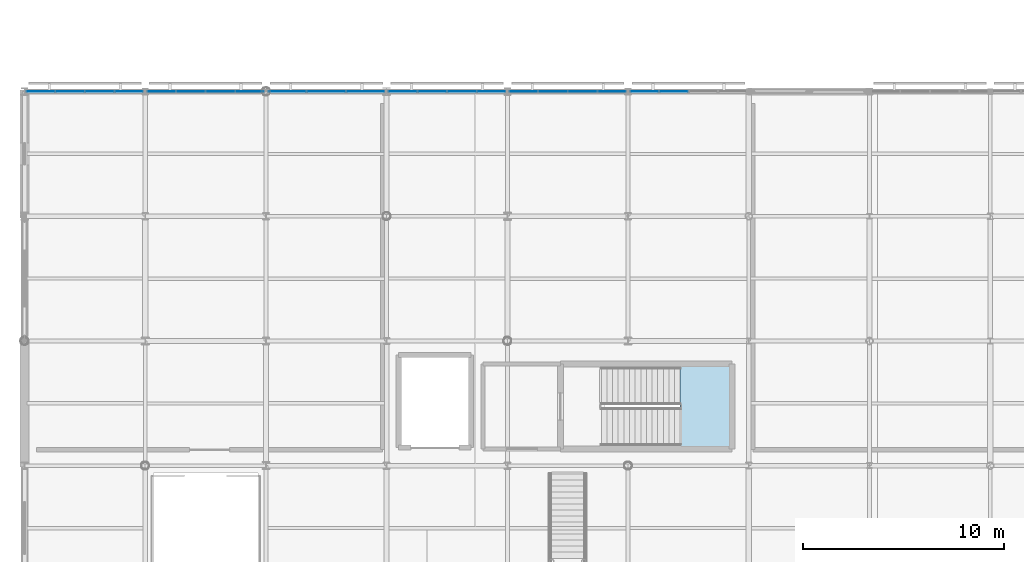
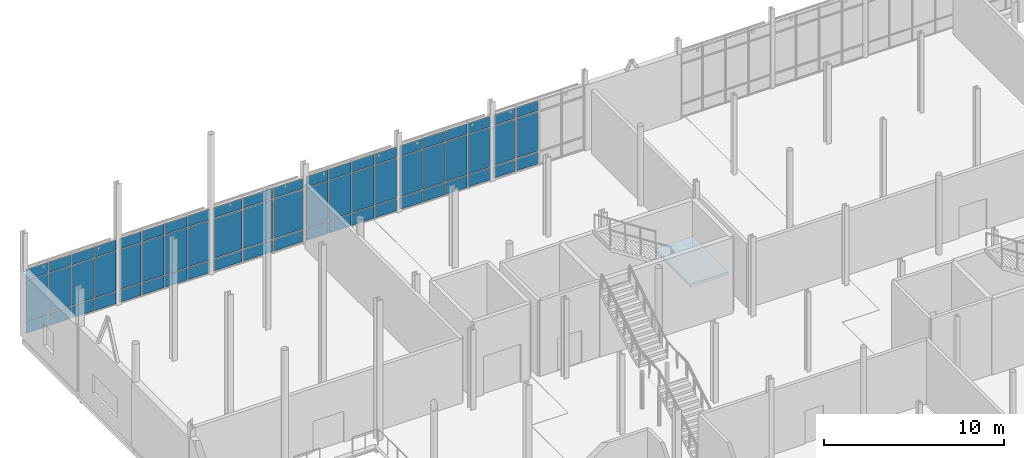
# One storey, part 59 of 105: 63 plates, 1 slab, 7 elements without a shape of their own.
"""IFC4 building model written with IfcOpenShell, lengths in metres."""

from ifc_helpers import new_model, si_unit, direction, frame, origin, origin_2d, place, context, subcontext, project, spatial, polyline, rectangle, outline, extrude, material, layer, layer_set, type_object, element, aggregate, save


model = new_model("IFC4")

# Units and contexts
model_context = context("Model", 3, precision=1e-05, world=origin(), true_north=direction((0.0, 1.0)))
body_context = subcontext(model_context, "Body", "Model", "MODEL_VIEW")
ifc_project = project(units=[si_unit("LENGTHUNIT", "METRE"), si_unit("AREAUNIT", "SQUARE_METRE"), si_unit("VOLUMEUNIT", "CUBIC_METRE"), si_unit("PLANEANGLEUNIT", "RADIAN"), si_unit("MASSUNIT", "GRAM", prefix="KILO")], contexts=[model_context])

# Site, building, storey
site_placement = place(None, origin())
site = spatial("IfcSite", under=ifc_project, at=site_placement, CompositionType="ELEMENT")
building_placement = place(site_placement, origin())
building = spatial("IfcBuilding", under=site, at=building_placement, Name="Mirzam Square Science Centre", CompositionType="ELEMENT")
storey_placement = place(building_placement, frame((0.0, 0.0, 5.39990234375)))
storey = spatial("IfcBuildingStorey", under=building, at=storey_placement, Name="L01", CompositionType="ELEMENT", Elevation=5.39990234375)

# Curtain wall, plates
ifc_material_1 = material(Name="Anodised Aluminium and Low-E Solar Glass", Category="aluminium")
ifc_layer_1 = layer(ifc_material_1, 0.159912109375)
ifc_layer_set_1 = layer_set([ifc_layer_1], Name="CW-COURT-B")
curtain_wall_type_1 = type_object("IfcCurtainWallType", Name="CW-COURT-B", PredefinedType="USERDEFINED", material=ifc_layer_set_1)
curtain_wall_1_placement = place(storey_placement, origin())
curtain_wall_1 = element("IfcCurtainWall", 1, at=curtain_wall_1_placement, inside=storey, type_object=curtain_wall_type_1, Name="L01 unitised curtain wall 9", ObjectType="UNITISED CURTAIN WALL", PredefinedType="USERDEFINED")
ifc_material_2 = material(Name="Ceramic-Fritted Courtyard Solar Glass", Category="glass")
ifc_layer_2 = layer(ifc_material_2, 0.02392578125)
ifc_layer_set_2 = layer_set([ifc_layer_2], Name="CWP-GLZ-24")
plate_type_1 = type_object("IfcPlateType", Name="CWP-GLZ-24", PredefinedType="CURTAIN_PANEL", material=ifc_layer_set_2)
plate_1_placement = place(storey_placement, frame((5.19384765625, 80.60009765625, 0.06005859375), z_axis=(0.0, 0.0, 1.0), x_axis=(-1.0, 0.0, 0.0)))
plate_1 = element("IfcPlate", 2, at=plate_1_placement, type_object=plate_type_1, Name="CW-04 panel 1.1", PredefinedType="CURTAIN_PANEL", context=body_context, shape_type="SweptSolid", body=[
    extrude(rectangle(XDim=1.382568359375, YDim=0.02392578125, at=origin_2d()), origin(), (0.0, 0.0, 1.0), 0.81005859375),
])
plate_2_placement = place(storey_placement, frame((5.19384765625, 80.60009765625, 0.93017578125), z_axis=(0.0, 0.0, 1.0), x_axis=(-1.0, 0.0, 0.0)))
plate_2 = element("IfcPlate", 3, at=plate_2_placement, type_object=plate_type_1, Name="CW-04 panel 1.2", PredefinedType="CURTAIN_PANEL", context=body_context, shape_type="SweptSolid", body=[
    extrude(rectangle(XDim=1.382568359375, YDim=0.02392578125, at=origin_2d()), origin(), (0.0, 0.0, 1.0), 2.679931640625),
])
plate_3_placement = place(storey_placement, frame((5.19384765625, 80.60009765625, 3.670166015625), z_axis=(0.0, 0.0, 1.0), x_axis=(-1.0, 0.0, 0.0)))
plate_3 = element("IfcPlate", 4, at=plate_3_placement, type_object=plate_type_1, Name="CW-04 panel 1.3", PredefinedType="CURTAIN_PANEL", context=body_context, shape_type="SweptSolid", body=[
    extrude(rectangle(XDim=1.382568359375, YDim=0.02392578125, at=origin_2d()), origin(), (0.0, 0.0, 1.0), 0.7099609375),
])
plate_4_placement = place(storey_placement, frame((3.736328125, 80.60009765625, 0.06005859375), z_axis=(0.0, 0.0, 1.0), x_axis=(-1.0, 0.0, 0.0)))
plate_4 = element("IfcPlate", 5, at=plate_4_placement, type_object=plate_type_1, Name="CW-04 panel 2.1", PredefinedType="CURTAIN_PANEL", context=body_context, shape_type="SweptSolid", body=[
    extrude(rectangle(XDim=1.41259765625, YDim=0.02392578125, at=origin_2d()), origin(), (0.0, 0.0, 1.0), 0.81005859375),
])
plate_5_placement = place(storey_placement, frame((3.736328125, 80.60009765625, 0.93017578125), z_axis=(0.0, 0.0, 1.0), x_axis=(-1.0, 0.0, 0.0)))
plate_5 = element("IfcPlate", 6, at=plate_5_placement, type_object=plate_type_1, Name="CW-04 panel 2.2", PredefinedType="CURTAIN_PANEL", context=body_context, shape_type="SweptSolid", body=[
    extrude(rectangle(XDim=1.41259765625, YDim=0.02392578125, at=origin_2d()), origin(), (0.0, 0.0, 1.0), 2.679931640625),
])
plate_6_placement = place(storey_placement, frame((3.736328125, 80.60009765625, 3.670166015625), z_axis=(0.0, 0.0, 1.0), x_axis=(-1.0, 0.0, 0.0)))
plate_6 = element("IfcPlate", 7, at=plate_6_placement, type_object=plate_type_1, Name="CW-04 panel 2.3", PredefinedType="CURTAIN_PANEL", context=body_context, shape_type="SweptSolid", body=[
    extrude(rectangle(XDim=1.41259765625, YDim=0.02392578125, at=origin_2d()), origin(), (0.0, 0.0, 1.0), 0.7099609375),
])
plate_7_placement = place(storey_placement, frame((2.263671875, 80.60009765625, 0.06005859375), z_axis=(0.0, 0.0, 1.0), x_axis=(-1.0, 0.0, 0.0)))
plate_7 = element("IfcPlate", 8, at=plate_7_placement, type_object=plate_type_1, Name="CW-04 panel 3.1", PredefinedType="CURTAIN_PANEL", context=body_context, shape_type="SweptSolid", body=[
    extrude(rectangle(XDim=1.41259765625, YDim=0.02392578125, at=origin_2d()), origin(), (0.0, 0.0, 1.0), 0.81005859375),
])
plate_8_placement = place(storey_placement, frame((2.263671875, 80.60009765625, 0.93017578125), z_axis=(0.0, 0.0, 1.0), x_axis=(-1.0, 0.0, 0.0)))
plate_8 = element("IfcPlate", 9, at=plate_8_placement, type_object=plate_type_1, Name="CW-04 panel 3.2", PredefinedType="CURTAIN_PANEL", context=body_context, shape_type="SweptSolid", body=[
    extrude(rectangle(XDim=1.41259765625, YDim=0.02392578125, at=origin_2d()), origin(), (0.0, 0.0, 1.0), 2.679931640625),
])
plate_9_placement = place(storey_placement, frame((2.263671875, 80.60009765625, 3.670166015625), z_axis=(0.0, 0.0, 1.0), x_axis=(-1.0, 0.0, 0.0)))
plate_9 = element("IfcPlate", 10, at=plate_9_placement, type_object=plate_type_1, Name="CW-04 panel 3.3", PredefinedType="CURTAIN_PANEL", context=body_context, shape_type="SweptSolid", body=[
    extrude(rectangle(XDim=1.41259765625, YDim=0.02392578125, at=origin_2d()), origin(), (0.0, 0.0, 1.0), 0.7099609375),
])
plate_10_placement = place(storey_placement, frame((0.80615234375, 80.60009765625, 0.06005859375), z_axis=(0.0, 0.0, 1.0), x_axis=(-1.0, 0.0, 0.0)))
plate_10 = element("IfcPlate", 11, at=plate_10_placement, type_object=plate_type_1, Name="CW-04 panel 4.1", PredefinedType="CURTAIN_PANEL", context=body_context, shape_type="SweptSolid", body=[
    extrude(rectangle(XDim=1.382568359375, YDim=0.02392578125, at=origin_2d()), origin(), (0.0, 0.0, 1.0), 0.81005859375),
])
plate_11_placement = place(storey_placement, frame((0.80615234375, 80.60009765625, 0.93017578125), z_axis=(0.0, 0.0, 1.0), x_axis=(-1.0, 0.0, 0.0)))
plate_11 = element("IfcPlate", 12, at=plate_11_placement, type_object=plate_type_1, Name="CW-04 panel 4.2", PredefinedType="CURTAIN_PANEL", context=body_context, shape_type="SweptSolid", body=[
    extrude(rectangle(XDim=1.382568359375, YDim=0.02392578125, at=origin_2d()), origin(), (0.0, 0.0, 1.0), 2.679931640625),
])
plate_12_placement = place(storey_placement, frame((0.80615234375, 80.60009765625, 3.670166015625), z_axis=(0.0, 0.0, 1.0), x_axis=(-1.0, 0.0, 0.0)))
plate_12 = element("IfcPlate", 13, at=plate_12_placement, type_object=plate_type_1, Name="CW-04 panel 4.3", PredefinedType="CURTAIN_PANEL", context=body_context, shape_type="SweptSolid", body=[
    extrude(rectangle(XDim=1.382568359375, YDim=0.02392578125, at=origin_2d()), origin(), (0.0, 0.0, 1.0), 0.7099609375),
])
aggregate(curtain_wall_1, [plate_1, plate_2, plate_3, plate_4, plate_5, plate_6, plate_7, plate_8, plate_9, plate_10, plate_11, plate_12])

ifc_layer_3 = layer(ifc_material_1, 0.179931640625)
ifc_layer_set_3 = layer_set([ifc_layer_3], Name="CW-PARK-A")
curtain_wall_type_2 = type_object("IfcCurtainWallType", Name="CW-PARK-A", PredefinedType="USERDEFINED", material=ifc_layer_set_3)
curtain_wall_2_placement = place(storey_placement, origin())
curtain_wall_2 = element("IfcCurtainWall", 14, at=curtain_wall_2_placement, inside=storey, type_object=curtain_wall_type_2, Name="L01 unitised curtain wall 14", ObjectType="UNITISED CURTAIN WALL", PredefinedType="USERDEFINED")
plate_13_placement = place(storey_placement, frame((32.263671875, 80.60009765625, 0.074951171875), z_axis=(0.0, 0.0, 1.0), x_axis=(-1.0, 0.0, 0.0)))
plate_13 = element("IfcPlate", 15, at=plate_13_placement, type_object=plate_type_1, Name="CW-01 panel 3.1", PredefinedType="CURTAIN_PANEL", context=body_context, shape_type="SweptSolid", body=[
    extrude(rectangle(XDim=1.3974609375, YDim=0.02392578125, at=origin_2d()), origin(), (0.0, 0.0, 1.0), 0.78759765625),
])
plate_14_placement = place(storey_placement, frame((32.263671875, 80.60009765625, 0.9375), z_axis=(0.0, 0.0, 1.0), x_axis=(-1.0, 0.0, 0.0)))
plate_14 = element("IfcPlate", 16, at=plate_14_placement, type_object=plate_type_1, Name="CW-01 panel 3.2", PredefinedType="CURTAIN_PANEL", context=body_context, shape_type="SweptSolid", body=[
    extrude(rectangle(XDim=1.3974609375, YDim=0.02392578125, at=origin_2d()), origin(), (0.0, 0.0, 1.0), 2.6650390625),
])
plate_15_placement = place(storey_placement, frame((32.263671875, 80.60009765625, 3.677490234375), z_axis=(0.0, 0.0, 1.0), x_axis=(-1.0, 0.0, 0.0)))
plate_15 = element("IfcPlate", 17, at=plate_15_placement, type_object=plate_type_1, Name="CW-01 panel 3.3", PredefinedType="CURTAIN_PANEL", context=body_context, shape_type="SweptSolid", body=[
    extrude(rectangle(XDim=1.3974609375, YDim=0.02392578125, at=origin_2d()), origin(), (0.0, 0.0, 1.0), 0.6875),
])
plate_16_placement = place(storey_placement, frame((30.81005859375, 80.60009765625, 0.074951171875), z_axis=(0.0, 0.0, 1.0), x_axis=(-1.0, 0.0, 0.0)))
plate_16 = element("IfcPlate", 18, at=plate_16_placement, type_object=plate_type_1, Name="CW-01 panel 4.1", PredefinedType="CURTAIN_PANEL", context=body_context, shape_type="SweptSolid", body=[
    extrude(rectangle(XDim=1.360107421875, YDim=0.02392578125, at=origin_2d()), origin(), (0.0, 0.0, 1.0), 0.78759765625),
])
plate_17_placement = place(storey_placement, frame((30.81005859375, 80.60009765625, 0.9375), z_axis=(0.0, 0.0, 1.0), x_axis=(-1.0, 0.0, 0.0)))
plate_17 = element("IfcPlate", 19, at=plate_17_placement, type_object=plate_type_1, Name="CW-01 panel 4.2", PredefinedType="CURTAIN_PANEL", context=body_context, shape_type="SweptSolid", body=[
    extrude(rectangle(XDim=1.360107421875, YDim=0.02392578125, at=origin_2d()), origin(), (0.0, 0.0, 1.0), 2.6650390625),
])
plate_18_placement = place(storey_placement, frame((30.81005859375, 80.60009765625, 3.677490234375), z_axis=(0.0, 0.0, 1.0), x_axis=(-1.0, 0.0, 0.0)))
plate_18 = element("IfcPlate", 20, at=plate_18_placement, type_object=plate_type_1, Name="CW-01 panel 4.3", PredefinedType="CURTAIN_PANEL", context=body_context, shape_type="SweptSolid", body=[
    extrude(rectangle(XDim=1.360107421875, YDim=0.02392578125, at=origin_2d()), origin(), (0.0, 0.0, 1.0), 0.6875),
])
aggregate(curtain_wall_2, [plate_13, plate_14, plate_15, plate_16, plate_17, plate_18])

ifc_layer_4 = layer(ifc_material_1, 0.239990234375)
ifc_layer_set_4 = layer_set([ifc_layer_4], Name="CW-EAST-B")
curtain_wall_type_3 = type_object("IfcCurtainWallType", Name="CW-EAST-B", PredefinedType="USERDEFINED", material=ifc_layer_set_4)
curtain_wall_3_placement = place(storey_placement, origin())
curtain_wall_3 = element("IfcCurtainWall", 21, at=curtain_wall_3_placement, inside=storey, type_object=curtain_wall_type_3, Name="L01 unitised curtain wall 11", ObjectType="UNITISED CURTAIN WALL", PredefinedType="USERDEFINED")
ifc_material_3 = material(Name="Double-Silver Low-E Insulated Solar Glass", Category="glass")
ifc_layer_5 = layer(ifc_material_3, 0.028076171875)
ifc_layer_set_5 = layer_set([ifc_layer_5], Name="CWP-GLZ-28")
plate_type_2 = type_object("IfcPlateType", Name="CWP-GLZ-28", PredefinedType="CURTAIN_PANEL", material=ifc_layer_set_5)
plate_19_placement = place(storey_placement, frame((16.944580078125, 80.60009765625, 0.074951171875), z_axis=(0.0, 0.0, 1.0), x_axis=(-1.0, 0.0, 0.0)))
plate_19 = element("IfcPlate", 22, at=plate_19_placement, type_object=plate_type_2, Name="CW-06 panel 1.1", PredefinedType="CURTAIN_PANEL", context=body_context, shape_type="SweptSolid", body=[
    extrude(rectangle(XDim=1.850830078125, YDim=0.028076171875, at=origin_2d()), origin(), (0.0, 0.0, 1.0), 0.78759765625),
])
plate_20_placement = place(storey_placement, frame((16.944580078125, 80.60009765625, 0.9375), z_axis=(0.0, 0.0, 1.0), x_axis=(-1.0, 0.0, 0.0)))
plate_20 = element("IfcPlate", 23, at=plate_20_placement, type_object=plate_type_2, Name="CW-06 panel 1.2", PredefinedType="CURTAIN_PANEL", context=body_context, shape_type="SweptSolid", body=[
    extrude(rectangle(XDim=1.850830078125, YDim=0.028076171875, at=origin_2d()), origin(), (0.0, 0.0, 1.0), 2.6650390625),
])
plate_21_placement = place(storey_placement, frame((16.944580078125, 80.60009765625, 3.677490234375), z_axis=(0.0, 0.0, 1.0), x_axis=(-1.0, 0.0, 0.0)))
plate_21 = element("IfcPlate", 24, at=plate_21_placement, type_object=plate_type_2, Name="CW-06 panel 1.3", PredefinedType="CURTAIN_PANEL", context=body_context, shape_type="SweptSolid", body=[
    extrude(rectangle(XDim=1.850830078125, YDim=0.028076171875, at=origin_2d()), origin(), (0.0, 0.0, 1.0), 0.6875),
])
plate_22_placement = place(storey_placement, frame((15.0, 80.60009765625, 0.074951171875), z_axis=(0.0, 0.0, 1.0), x_axis=(-1.0, 0.0, 0.0)))
plate_22 = element("IfcPlate", 25, at=plate_22_placement, type_object=plate_type_2, Name="CW-06 panel 2.1", PredefinedType="CURTAIN_PANEL", context=body_context, shape_type="SweptSolid", body=[
    extrude(rectangle(XDim=1.888427734375, YDim=0.028076171875, at=origin_2d()), origin(), (0.0, 0.0, 1.0), 0.78759765625),
])
plate_23_placement = place(storey_placement, frame((15.0, 80.60009765625, 0.9375), z_axis=(0.0, 0.0, 1.0), x_axis=(-1.0, 0.0, 0.0)))
plate_23 = element("IfcPlate", 26, at=plate_23_placement, type_object=plate_type_2, Name="CW-06 panel 2.2", PredefinedType="CURTAIN_PANEL", context=body_context, shape_type="SweptSolid", body=[
    extrude(rectangle(XDim=1.888427734375, YDim=0.028076171875, at=origin_2d()), origin(), (0.0, 0.0, 1.0), 2.6650390625),
])
plate_24_placement = place(storey_placement, frame((15.0, 80.60009765625, 3.677490234375), z_axis=(0.0, 0.0, 1.0), x_axis=(-1.0, 0.0, 0.0)))
plate_24 = element("IfcPlate", 27, at=plate_24_placement, type_object=plate_type_2, Name="CW-06 panel 2.3", PredefinedType="CURTAIN_PANEL", context=body_context, shape_type="SweptSolid", body=[
    extrude(rectangle(XDim=1.888427734375, YDim=0.028076171875, at=origin_2d()), origin(), (0.0, 0.0, 1.0), 0.6875),
])
plate_25_placement = place(storey_placement, frame((13.055419921875, 80.60009765625, 0.074951171875), z_axis=(0.0, 0.0, 1.0), x_axis=(-1.0, 0.0, 0.0)))
plate_25 = element("IfcPlate", 28, at=plate_25_placement, type_object=plate_type_2, Name="CW-06 panel 3.1", PredefinedType="CURTAIN_PANEL", context=body_context, shape_type="SweptSolid", body=[
    extrude(rectangle(XDim=1.850830078125, YDim=0.028076171875, at=origin_2d()), origin(), (0.0, 0.0, 1.0), 0.78759765625),
])
plate_26_placement = place(storey_placement, frame((13.055419921875, 80.60009765625, 0.9375), z_axis=(0.0, 0.0, 1.0), x_axis=(-1.0, 0.0, 0.0)))
plate_26 = element("IfcPlate", 29, at=plate_26_placement, type_object=plate_type_2, Name="CW-06 panel 3.2", PredefinedType="CURTAIN_PANEL", context=body_context, shape_type="SweptSolid", body=[
    extrude(rectangle(XDim=1.850830078125, YDim=0.028076171875, at=origin_2d()), origin(), (0.0, 0.0, 1.0), 2.6650390625),
])
plate_27_placement = place(storey_placement, frame((13.055419921875, 80.60009765625, 3.677490234375), z_axis=(0.0, 0.0, 1.0), x_axis=(-1.0, 0.0, 0.0)))
plate_27 = element("IfcPlate", 30, at=plate_27_placement, type_object=plate_type_2, Name="CW-06 panel 3.3", PredefinedType="CURTAIN_PANEL", context=body_context, shape_type="SweptSolid", body=[
    extrude(rectangle(XDim=1.850830078125, YDim=0.028076171875, at=origin_2d()), origin(), (0.0, 0.0, 1.0), 0.6875),
])
aggregate(curtain_wall_3, [plate_19, plate_20, plate_21, plate_22, plate_23, plate_24, plate_25, plate_26, plate_27])

ifc_layer_6 = layer(ifc_material_1, 0.219970703125)
ifc_layer_set_6 = layer_set([ifc_layer_6], Name="CW-OBS-A")
curtain_wall_type_4 = type_object("IfcCurtainWallType", Name="CW-OBS-A", PredefinedType="USERDEFINED", material=ifc_layer_set_6)
curtain_wall_4_placement = place(storey_placement, origin())
curtain_wall_4 = element("IfcCurtainWall", 31, at=curtain_wall_4_placement, inside=storey, type_object=curtain_wall_type_4, Name="L01 unitised curtain wall 12", ObjectType="UNITISED CURTAIN WALL", PredefinedType="USERDEFINED")
ifc_material_4 = material(Name="Triple-Glazed Acoustic Low-E Solar Glass", Category="glass")
ifc_layer_7 = layer(ifc_material_4, 0.031982421875)
ifc_layer_set_7 = layer_set([ifc_layer_7], Name="CWP-GLZ-32")
plate_type_3 = type_object("IfcPlateType", Name="CWP-GLZ-32", PredefinedType="CURTAIN_PANEL", material=ifc_layer_set_7)
plate_28_placement = place(storey_placement, frame((23.19384765625, 80.60009765625, 0.06005859375), z_axis=(0.0, 0.0, 1.0), x_axis=(-1.0, 0.0, 0.0)))
plate_28 = element("IfcPlate", 32, at=plate_28_placement, type_object=plate_type_3, Name="CW-07 panel 1.1", PredefinedType="CURTAIN_PANEL", context=body_context, shape_type="SweptSolid", body=[
    extrude(rectangle(XDim=1.382568359375, YDim=0.031982421875, at=origin_2d()), origin(), (0.0, 0.0, 1.0), 0.81005859375),
])
plate_29_placement = place(storey_placement, frame((23.19384765625, 80.60009765625, 0.93017578125), z_axis=(0.0, 0.0, 1.0), x_axis=(-1.0, 0.0, 0.0)))
plate_29 = element("IfcPlate", 33, at=plate_29_placement, type_object=plate_type_3, Name="CW-07 panel 1.2", PredefinedType="CURTAIN_PANEL", context=body_context, shape_type="SweptSolid", body=[
    extrude(rectangle(XDim=1.382568359375, YDim=0.031982421875, at=origin_2d()), origin(), (0.0, 0.0, 1.0), 2.679931640625),
])
plate_30_placement = place(storey_placement, frame((23.19384765625, 80.60009765625, 3.670166015625), z_axis=(0.0, 0.0, 1.0), x_axis=(-1.0, 0.0, 0.0)))
plate_30 = element("IfcPlate", 34, at=plate_30_placement, type_object=plate_type_3, Name="CW-07 panel 1.3", PredefinedType="CURTAIN_PANEL", context=body_context, shape_type="SweptSolid", body=[
    extrude(rectangle(XDim=1.382568359375, YDim=0.031982421875, at=origin_2d()), origin(), (0.0, 0.0, 1.0), 0.7099609375),
])
plate_31_placement = place(storey_placement, frame((21.736328125, 80.60009765625, 0.06005859375), z_axis=(0.0, 0.0, 1.0), x_axis=(-1.0, 0.0, 0.0)))
plate_31 = element("IfcPlate", 35, at=plate_31_placement, type_object=plate_type_3, Name="CW-07 panel 2.1", PredefinedType="CURTAIN_PANEL", context=body_context, shape_type="SweptSolid", body=[
    extrude(rectangle(XDim=1.41259765625, YDim=0.031982421875, at=origin_2d()), origin(), (0.0, 0.0, 1.0), 0.81005859375),
])
plate_32_placement = place(storey_placement, frame((21.736328125, 80.60009765625, 0.93017578125), z_axis=(0.0, 0.0, 1.0), x_axis=(-1.0, 0.0, 0.0)))
plate_32 = element("IfcPlate", 36, at=plate_32_placement, type_object=plate_type_3, Name="CW-07 panel 2.2", PredefinedType="CURTAIN_PANEL", context=body_context, shape_type="SweptSolid", body=[
    extrude(rectangle(XDim=1.41259765625, YDim=0.031982421875, at=origin_2d()), origin(), (0.0, 0.0, 1.0), 2.679931640625),
])
plate_33_placement = place(storey_placement, frame((21.736328125, 80.60009765625, 3.670166015625), z_axis=(0.0, 0.0, 1.0), x_axis=(-1.0, 0.0, 0.0)))
plate_33 = element("IfcPlate", 37, at=plate_33_placement, type_object=plate_type_3, Name="CW-07 panel 2.3", PredefinedType="CURTAIN_PANEL", context=body_context, shape_type="SweptSolid", body=[
    extrude(rectangle(XDim=1.41259765625, YDim=0.031982421875, at=origin_2d()), origin(), (0.0, 0.0, 1.0), 0.7099609375),
])
plate_34_placement = place(storey_placement, frame((20.263671875, 80.60009765625, 0.06005859375), z_axis=(0.0, 0.0, 1.0), x_axis=(-1.0, 0.0, 0.0)))
plate_34 = element("IfcPlate", 38, at=plate_34_placement, type_object=plate_type_3, Name="CW-07 panel 3.1", PredefinedType="CURTAIN_PANEL", context=body_context, shape_type="SweptSolid", body=[
    extrude(rectangle(XDim=1.41259765625, YDim=0.031982421875, at=origin_2d()), origin(), (0.0, 0.0, 1.0), 0.81005859375),
])
plate_35_placement = place(storey_placement, frame((20.263671875, 80.60009765625, 0.93017578125), z_axis=(0.0, 0.0, 1.0), x_axis=(-1.0, 0.0, 0.0)))
plate_35 = element("IfcPlate", 39, at=plate_35_placement, type_object=plate_type_3, Name="CW-07 panel 3.2", PredefinedType="CURTAIN_PANEL", context=body_context, shape_type="SweptSolid", body=[
    extrude(rectangle(XDim=1.41259765625, YDim=0.031982421875, at=origin_2d()), origin(), (0.0, 0.0, 1.0), 2.679931640625),
])
plate_36_placement = place(storey_placement, frame((20.263671875, 80.60009765625, 3.670166015625), z_axis=(0.0, 0.0, 1.0), x_axis=(-1.0, 0.0, 0.0)))
plate_36 = element("IfcPlate", 40, at=plate_36_placement, type_object=plate_type_3, Name="CW-07 panel 3.3", PredefinedType="CURTAIN_PANEL", context=body_context, shape_type="SweptSolid", body=[
    extrude(rectangle(XDim=1.41259765625, YDim=0.031982421875, at=origin_2d()), origin(), (0.0, 0.0, 1.0), 0.7099609375),
])
plate_37_placement = place(storey_placement, frame((18.80615234375, 80.60009765625, 0.06005859375), z_axis=(0.0, 0.0, 1.0), x_axis=(-1.0, 0.0, 0.0)))
plate_37 = element("IfcPlate", 41, at=plate_37_placement, type_object=plate_type_3, Name="CW-07 panel 4.1", PredefinedType="CURTAIN_PANEL", context=body_context, shape_type="SweptSolid", body=[
    extrude(rectangle(XDim=1.382568359375, YDim=0.031982421875, at=origin_2d()), origin(), (0.0, 0.0, 1.0), 0.81005859375),
])
plate_38_placement = place(storey_placement, frame((18.80615234375, 80.60009765625, 0.93017578125), z_axis=(0.0, 0.0, 1.0), x_axis=(-1.0, 0.0, 0.0)))
plate_38 = element("IfcPlate", 42, at=plate_38_placement, type_object=plate_type_3, Name="CW-07 panel 4.2", PredefinedType="CURTAIN_PANEL", context=body_context, shape_type="SweptSolid", body=[
    extrude(rectangle(XDim=1.382568359375, YDim=0.031982421875, at=origin_2d()), origin(), (0.0, 0.0, 1.0), 2.679931640625),
])
plate_39_placement = place(storey_placement, frame((18.80615234375, 80.60009765625, 3.670166015625), z_axis=(0.0, 0.0, 1.0), x_axis=(-1.0, 0.0, 0.0)))
plate_39 = element("IfcPlate", 43, at=plate_39_placement, type_object=plate_type_3, Name="CW-07 panel 4.3", PredefinedType="CURTAIN_PANEL", context=body_context, shape_type="SweptSolid", body=[
    extrude(rectangle(XDim=1.382568359375, YDim=0.031982421875, at=origin_2d()), origin(), (0.0, 0.0, 1.0), 0.7099609375),
])
aggregate(curtain_wall_4, [plate_28, plate_29, plate_30, plate_31, plate_32, plate_33, plate_34, plate_35, plate_36, plate_37, plate_38, plate_39])

ifc_layer_8 = layer(ifc_material_1, 0.179931640625)
ifc_layer_set_8 = layer_set([ifc_layer_8], Name="CW-LINK-A")
curtain_wall_type_5 = type_object("IfcCurtainWallType", Name="CW-LINK-A", PredefinedType="USERDEFINED", material=ifc_layer_set_8)
curtain_wall_5_placement = place(storey_placement, origin())
curtain_wall_5 = element("IfcCurtainWall", 44, at=curtain_wall_5_placement, inside=storey, type_object=curtain_wall_type_5, Name="L01 unitised curtain wall 13", ObjectType="UNITISED CURTAIN WALL", PredefinedType="USERDEFINED")
ifc_material_5 = material(Name="Laminated Low-Iron Observatory Solar Glass", Category="glass")
ifc_layer_9 = layer(ifc_material_5, 0.035888671875)
ifc_layer_set_9 = layer_set([ifc_layer_9], Name="CWP-GLZ-36")
plate_type_4 = type_object("IfcPlateType", Name="CWP-GLZ-36", PredefinedType="CURTAIN_PANEL", material=ifc_layer_set_9)
plate_40_placement = place(storey_placement, frame((29.1923828125, 80.60009765625, 0.06494140625), z_axis=(0.0, 0.0, 1.0), x_axis=(-1.0, 0.0, 0.0)))
plate_40 = element("IfcPlate", 45, at=plate_40_placement, type_object=plate_type_4, Name="CW-08 panel 1.1", PredefinedType="CURTAIN_PANEL", context=body_context, shape_type="SweptSolid", body=[
    extrude(rectangle(XDim=1.375, YDim=0.035888671875, at=origin_2d()), origin(), (0.0, 0.0, 1.0), 0.802490234375),
])
plate_41_placement = place(storey_placement, frame((29.1923828125, 80.60009765625, 0.9326171875), z_axis=(0.0, 0.0, 1.0), x_axis=(-1.0, 0.0, 0.0)))
plate_41 = element("IfcPlate", 46, at=plate_41_placement, type_object=plate_type_4, Name="CW-08 panel 1.2", PredefinedType="CURTAIN_PANEL", context=body_context, shape_type="SweptSolid", body=[
    extrude(rectangle(XDim=1.375, YDim=0.035888671875, at=origin_2d()), origin(), (0.0, 0.0, 1.0), 2.675048828125),
])
plate_42_placement = place(storey_placement, frame((29.1923828125, 80.60009765625, 3.6728515625), z_axis=(0.0, 0.0, 1.0), x_axis=(-1.0, 0.0, 0.0)))
plate_42 = element("IfcPlate", 47, at=plate_42_placement, type_object=plate_type_4, Name="CW-08 panel 1.3", PredefinedType="CURTAIN_PANEL", context=body_context, shape_type="SweptSolid", body=[
    extrude(rectangle(XDim=1.375, YDim=0.035888671875, at=origin_2d()), origin(), (0.0, 0.0, 1.0), 0.702392578125),
])
plate_43_placement = place(storey_placement, frame((27.736328125, 80.60009765625, 0.06494140625), z_axis=(0.0, 0.0, 1.0), x_axis=(-1.0, 0.0, 0.0)))
plate_43 = element("IfcPlate", 48, at=plate_43_placement, type_object=plate_type_4, Name="CW-08 panel 2.1", PredefinedType="CURTAIN_PANEL", context=body_context, shape_type="SweptSolid", body=[
    extrude(rectangle(XDim=1.407470703125, YDim=0.035888671875, at=origin_2d()), origin(), (0.0, 0.0, 1.0), 0.802490234375),
])
plate_44_placement = place(storey_placement, frame((27.736328125, 80.60009765625, 0.9326171875), z_axis=(0.0, 0.0, 1.0), x_axis=(-1.0, 0.0, 0.0)))
plate_44 = element("IfcPlate", 49, at=plate_44_placement, type_object=plate_type_4, Name="CW-08 panel 2.2", PredefinedType="CURTAIN_PANEL", context=body_context, shape_type="SweptSolid", body=[
    extrude(rectangle(XDim=1.407470703125, YDim=0.035888671875, at=origin_2d()), origin(), (0.0, 0.0, 1.0), 2.675048828125),
])
plate_45_placement = place(storey_placement, frame((27.736328125, 80.60009765625, 3.6728515625), z_axis=(0.0, 0.0, 1.0), x_axis=(-1.0, 0.0, 0.0)))
plate_45 = element("IfcPlate", 50, at=plate_45_placement, type_object=plate_type_4, Name="CW-08 panel 2.3", PredefinedType="CURTAIN_PANEL", context=body_context, shape_type="SweptSolid", body=[
    extrude(rectangle(XDim=1.407470703125, YDim=0.035888671875, at=origin_2d()), origin(), (0.0, 0.0, 1.0), 0.702392578125),
])
plate_46_placement = place(storey_placement, frame((26.263671875, 80.60009765625, 0.06494140625), z_axis=(0.0, 0.0, 1.0), x_axis=(-1.0, 0.0, 0.0)))
plate_46 = element("IfcPlate", 51, at=plate_46_placement, type_object=plate_type_4, Name="CW-08 panel 3.1", PredefinedType="CURTAIN_PANEL", context=body_context, shape_type="SweptSolid", body=[
    extrude(rectangle(XDim=1.407470703125, YDim=0.035888671875, at=origin_2d()), origin(), (0.0, 0.0, 1.0), 0.802490234375),
])
plate_47_placement = place(storey_placement, frame((26.263671875, 80.60009765625, 0.9326171875), z_axis=(0.0, 0.0, 1.0), x_axis=(-1.0, 0.0, 0.0)))
plate_47 = element("IfcPlate", 52, at=plate_47_placement, type_object=plate_type_4, Name="CW-08 panel 3.2", PredefinedType="CURTAIN_PANEL", context=body_context, shape_type="SweptSolid", body=[
    extrude(rectangle(XDim=1.407470703125, YDim=0.035888671875, at=origin_2d()), origin(), (0.0, 0.0, 1.0), 2.675048828125),
])
plate_48_placement = place(storey_placement, frame((26.263671875, 80.60009765625, 3.6728515625), z_axis=(0.0, 0.0, 1.0), x_axis=(-1.0, 0.0, 0.0)))
plate_48 = element("IfcPlate", 53, at=plate_48_placement, type_object=plate_type_4, Name="CW-08 panel 3.3", PredefinedType="CURTAIN_PANEL", context=body_context, shape_type="SweptSolid", body=[
    extrude(rectangle(XDim=1.407470703125, YDim=0.035888671875, at=origin_2d()), origin(), (0.0, 0.0, 1.0), 0.702392578125),
])
plate_49_placement = place(storey_placement, frame((24.8076171875, 80.60009765625, 0.06494140625), z_axis=(0.0, 0.0, 1.0), x_axis=(-1.0, 0.0, 0.0)))
plate_49 = element("IfcPlate", 54, at=plate_49_placement, type_object=plate_type_4, Name="CW-08 panel 4.1", PredefinedType="CURTAIN_PANEL", context=body_context, shape_type="SweptSolid", body=[
    extrude(rectangle(XDim=1.375, YDim=0.035888671875, at=origin_2d()), origin(), (0.0, 0.0, 1.0), 0.802490234375),
])
plate_50_placement = place(storey_placement, frame((24.8076171875, 80.60009765625, 0.9326171875), z_axis=(0.0, 0.0, 1.0), x_axis=(-1.0, 0.0, 0.0)))
plate_50 = element("IfcPlate", 55, at=plate_50_placement, type_object=plate_type_4, Name="CW-08 panel 4.2", PredefinedType="CURTAIN_PANEL", context=body_context, shape_type="SweptSolid", body=[
    extrude(rectangle(XDim=1.375, YDim=0.035888671875, at=origin_2d()), origin(), (0.0, 0.0, 1.0), 2.675048828125),
])
plate_51_placement = place(storey_placement, frame((24.8076171875, 80.60009765625, 3.6728515625), z_axis=(0.0, 0.0, 1.0), x_axis=(-1.0, 0.0, 0.0)))
plate_51 = element("IfcPlate", 56, at=plate_51_placement, type_object=plate_type_4, Name="CW-08 panel 4.3", PredefinedType="CURTAIN_PANEL", context=body_context, shape_type="SweptSolid", body=[
    extrude(rectangle(XDim=1.375, YDim=0.035888671875, at=origin_2d()), origin(), (0.0, 0.0, 1.0), 0.702392578125),
])
aggregate(curtain_wall_5, [plate_40, plate_41, plate_42, plate_43, plate_44, plate_45, plate_46, plate_47, plate_48, plate_49, plate_50, plate_51])

ifc_layer_10 = layer(ifc_material_1, 0.199951171875)
ifc_layer_set_10 = layer_set([ifc_layer_10], Name="CW-EAST-A")
curtain_wall_type_6 = type_object("IfcCurtainWallType", Name="CW-EAST-A", PredefinedType="USERDEFINED", material=ifc_layer_set_10)
curtain_wall_6_placement = place(storey_placement, origin())
curtain_wall_6 = element("IfcCurtainWall", 57, at=curtain_wall_6_placement, inside=storey, type_object=curtain_wall_type_6, Name="L01 unitised curtain wall 10", ObjectType="UNITISED CURTAIN WALL", PredefinedType="USERDEFINED")
ifc_material_6 = material(Name="Acoustic Laminated Solar Spandrel Glass", Category="glass")
ifc_layer_11 = layer(ifc_material_6, 0.0400390625)
ifc_layer_set_11 = layer_set([ifc_layer_11], Name="CWP-GLZ-40")
plate_type_5 = type_object("IfcPlateType", Name="CWP-GLZ-40", PredefinedType="CURTAIN_PANEL", material=ifc_layer_set_11)
plate_52_placement = place(storey_placement, frame((11.1923828125, 80.60009765625, 0.06494140625), z_axis=(0.0, 0.0, 1.0), x_axis=(-1.0, 0.0, 0.0)))
plate_52 = element("IfcPlate", 58, at=plate_52_placement, type_object=plate_type_5, Name="CW-05 panel 1.1", PredefinedType="CURTAIN_PANEL", context=body_context, shape_type="SweptSolid", body=[
    extrude(rectangle(XDim=1.375, YDim=0.0400390625, at=origin_2d()), origin(), (0.0, 0.0, 1.0), 0.802490234375),
])
plate_53_placement = place(storey_placement, frame((11.1923828125, 80.60009765625, 0.9326171875), z_axis=(0.0, 0.0, 1.0), x_axis=(-1.0, 0.0, 0.0)))
plate_53 = element("IfcPlate", 59, at=plate_53_placement, type_object=plate_type_5, Name="CW-05 panel 1.2", PredefinedType="CURTAIN_PANEL", context=body_context, shape_type="SweptSolid", body=[
    extrude(rectangle(XDim=1.375, YDim=0.0400390625, at=origin_2d()), origin(), (0.0, 0.0, 1.0), 2.675048828125),
])
plate_54_placement = place(storey_placement, frame((11.1923828125, 80.60009765625, 3.6728515625), z_axis=(0.0, 0.0, 1.0), x_axis=(-1.0, 0.0, 0.0)))
plate_54 = element("IfcPlate", 60, at=plate_54_placement, type_object=plate_type_5, Name="CW-05 panel 1.3", PredefinedType="CURTAIN_PANEL", context=body_context, shape_type="SweptSolid", body=[
    extrude(rectangle(XDim=1.375, YDim=0.0400390625, at=origin_2d()), origin(), (0.0, 0.0, 1.0), 0.702392578125),
])
plate_55_placement = place(storey_placement, frame((9.736328125, 80.60009765625, 0.06494140625), z_axis=(0.0, 0.0, 1.0), x_axis=(-1.0, 0.0, 0.0)))
plate_55 = element("IfcPlate", 61, at=plate_55_placement, type_object=plate_type_5, Name="CW-05 panel 2.1", PredefinedType="CURTAIN_PANEL", context=body_context, shape_type="SweptSolid", body=[
    extrude(rectangle(XDim=1.407470703125, YDim=0.0400390625, at=origin_2d()), origin(), (0.0, 0.0, 1.0), 0.802490234375),
])
plate_56_placement = place(storey_placement, frame((9.736328125, 80.60009765625, 0.9326171875), z_axis=(0.0, 0.0, 1.0), x_axis=(-1.0, 0.0, 0.0)))
plate_56 = element("IfcPlate", 62, at=plate_56_placement, type_object=plate_type_5, Name="CW-05 panel 2.2", PredefinedType="CURTAIN_PANEL", context=body_context, shape_type="SweptSolid", body=[
    extrude(rectangle(XDim=1.407470703125, YDim=0.0400390625, at=origin_2d()), origin(), (0.0, 0.0, 1.0), 2.675048828125),
])
plate_57_placement = place(storey_placement, frame((9.736328125, 80.60009765625, 3.6728515625), z_axis=(0.0, 0.0, 1.0), x_axis=(-1.0, 0.0, 0.0)))
plate_57 = element("IfcPlate", 63, at=plate_57_placement, type_object=plate_type_5, Name="CW-05 panel 2.3", PredefinedType="CURTAIN_PANEL", context=body_context, shape_type="SweptSolid", body=[
    extrude(rectangle(XDim=1.407470703125, YDim=0.0400390625, at=origin_2d()), origin(), (0.0, 0.0, 1.0), 0.702392578125),
])
plate_58_placement = place(storey_placement, frame((8.263671875, 80.60009765625, 0.06494140625), z_axis=(0.0, 0.0, 1.0), x_axis=(-1.0, 0.0, 0.0)))
plate_58 = element("IfcPlate", 64, at=plate_58_placement, type_object=plate_type_5, Name="CW-05 panel 3.1", PredefinedType="CURTAIN_PANEL", context=body_context, shape_type="SweptSolid", body=[
    extrude(rectangle(XDim=1.407470703125, YDim=0.0400390625, at=origin_2d()), origin(), (0.0, 0.0, 1.0), 0.802490234375),
])
plate_59_placement = place(storey_placement, frame((8.263671875, 80.60009765625, 0.9326171875), z_axis=(0.0, 0.0, 1.0), x_axis=(-1.0, 0.0, 0.0)))
plate_59 = element("IfcPlate", 65, at=plate_59_placement, type_object=plate_type_5, Name="CW-05 panel 3.2", PredefinedType="CURTAIN_PANEL", context=body_context, shape_type="SweptSolid", body=[
    extrude(rectangle(XDim=1.407470703125, YDim=0.0400390625, at=origin_2d()), origin(), (0.0, 0.0, 1.0), 2.675048828125),
])
plate_60_placement = place(storey_placement, frame((8.263671875, 80.60009765625, 3.6728515625), z_axis=(0.0, 0.0, 1.0), x_axis=(-1.0, 0.0, 0.0)))
plate_60 = element("IfcPlate", 66, at=plate_60_placement, type_object=plate_type_5, Name="CW-05 panel 3.3", PredefinedType="CURTAIN_PANEL", context=body_context, shape_type="SweptSolid", body=[
    extrude(rectangle(XDim=1.407470703125, YDim=0.0400390625, at=origin_2d()), origin(), (0.0, 0.0, 1.0), 0.702392578125),
])
plate_61_placement = place(storey_placement, frame((6.8076171875, 80.60009765625, 0.06494140625), z_axis=(0.0, 0.0, 1.0), x_axis=(-1.0, 0.0, 0.0)))
plate_61 = element("IfcPlate", 67, at=plate_61_placement, type_object=plate_type_5, Name="CW-05 panel 4.1", PredefinedType="CURTAIN_PANEL", context=body_context, shape_type="SweptSolid", body=[
    extrude(rectangle(XDim=1.375, YDim=0.0400390625, at=origin_2d()), origin(), (0.0, 0.0, 1.0), 0.802490234375),
])
plate_62_placement = place(storey_placement, frame((6.8076171875, 80.60009765625, 0.9326171875), z_axis=(0.0, 0.0, 1.0), x_axis=(-1.0, 0.0, 0.0)))
plate_62 = element("IfcPlate", 68, at=plate_62_placement, type_object=plate_type_5, Name="CW-05 panel 4.2", PredefinedType="CURTAIN_PANEL", context=body_context, shape_type="SweptSolid", body=[
    extrude(rectangle(XDim=1.375, YDim=0.0400390625, at=origin_2d()), origin(), (0.0, 0.0, 1.0), 2.675048828125),
])
plate_63_placement = place(storey_placement, frame((6.8076171875, 80.60009765625, 3.6728515625), z_axis=(0.0, 0.0, 1.0), x_axis=(-1.0, 0.0, 0.0)))
plate_63 = element("IfcPlate", 69, at=plate_63_placement, type_object=plate_type_5, Name="CW-05 panel 4.3", PredefinedType="CURTAIN_PANEL", context=body_context, shape_type="SweptSolid", body=[
    extrude(rectangle(XDim=1.375, YDim=0.0400390625, at=origin_2d()), origin(), (0.0, 0.0, 1.0), 0.702392578125),
])
aggregate(curtain_wall_6, [plate_52, plate_53, plate_54, plate_55, plate_56, plate_57, plate_58, plate_59, plate_60, plate_61, plate_62, plate_63])

# Stair, slab
ifc_material_7 = material(Name="Concrete C40/50", Category="concrete")
stair_type = type_object("IfcStairType", Name="ST-CORE-2-540", PredefinedType="HALF_TURN_STAIR", material=ifc_material_7)
stair_placement = place(storey_placement, origin())
stair = element("IfcStair", 70, at=stair_placement, inside=storey, type_object=stair_type, Name="L01 ST-02", PredefinedType="HALF_TURN_STAIR")
ifc_layer_12 = layer(ifc_material_7, 0.199951171875)
ifc_layer_set_12 = layer_set([ifc_layer_12], Name="SL-LANDING-200")
slab_type = type_object("IfcSlabType", Name="SL-LANDING-200", PredefinedType="LANDING", material=ifc_layer_set_12)
slab_placement = place(storey_placement, frame((0.0, 0.0, 2.5)))
slab = element("IfcSlab", 71, at=slab_placement, type_object=slab_type, Name="ST-02 landing 1", PredefinedType="LANDING", context=body_context, shape_type="SweptSolid", body=[
    extrude(outline(polyline([(32.590087890625, 62.949951171875), (35.050048828125, 62.949951171875), (35.050048828125, 66.93994140625), (32.590087890625, 66.93994140625), (32.590087890625, 62.949951171875)])), origin(), (0.0, 0.0, 1.0), 0.2001953125),
])
aggregate(stair, [slab])

save(model, "model.ifc")
